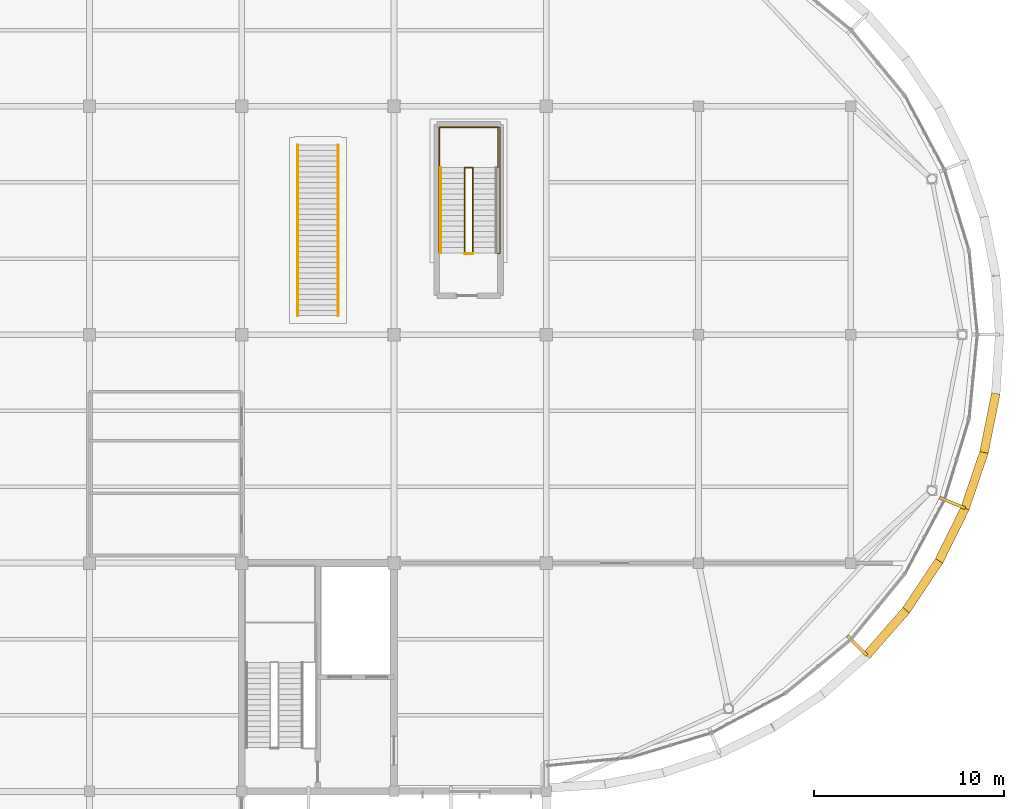
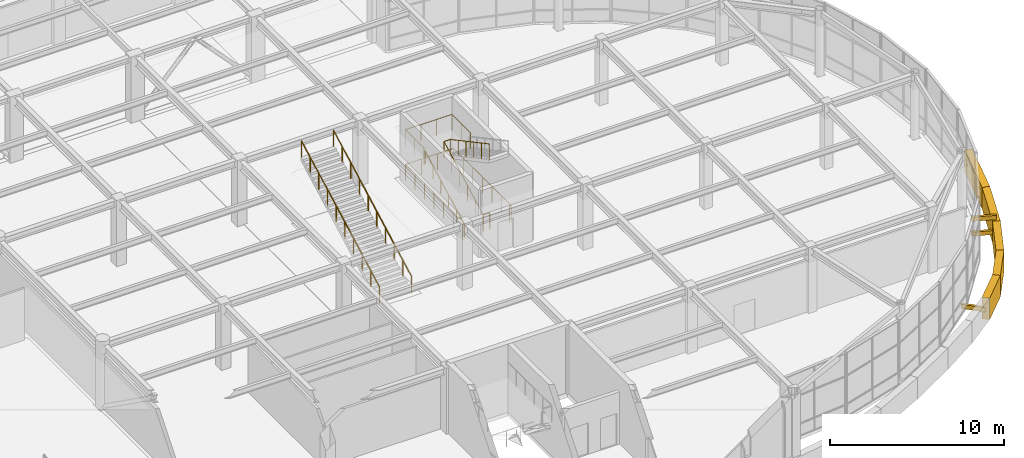
# One storey, part 68 of 72: 8 coverings, 7 railings.
"""IFC4 building model written with IfcOpenShell, lengths in metres."""

import ifcopenshell
import ifcopenshell.guid

model = None  # the IFC model being written
_history = None  # IfcOwnerHistory: only IFC2X3 demands one
_inside = {}  # id of a spatial element -> (the spatial element, [elements in it])
_under = {}  # id of a project, library or spatial element -> (it, [spatial elements below it])
_declared = {}  # id of a project -> (the project, [libraries it declares])
_typed = {}  # id of a type object -> (the type object, [elements of that type])
_made_of = {}  # id of a material, layer set ... -> (it, [elements and type objects made of it])


def new_model(schema):
    """Start an empty IFC model of exactly this schema.

    Asked for "IFC4X3", IfcOpenShell would pick the latest addendum, in which some entities
    have other attributes; the version numbers below select the first issue.
    IFC2X3 requires an IfcOwnerHistory on every rooted entity: one is made here for all.
    """
    global model, _history
    if schema == "IFC4X3":
        model = ifcopenshell.file(schema_version=(4, 3, 0, 0))
    else:
        model = ifcopenshell.file(schema=schema)
    _inside.clear()
    _under.clear()
    _declared.clear()
    _typed.clear()
    _made_of.clear()
    _history = None
    if model.schema == "IFC2X3":
        org = make("IfcOrganization", Name="unknown")
        user = make(
            "IfcPersonAndOrganization",
            ThePerson=make("IfcPerson", FamilyName="unknown"),
            TheOrganization=org,
        )
        app = make(
            "IfcApplication",
            ApplicationDeveloper=org,
            Version="unknown",
            ApplicationFullName="unknown",
            ApplicationIdentifier="unknown",
        )
        _history = make(
            "IfcOwnerHistory",
            OwningUser=user,
            OwningApplication=app,
            ChangeAction="ADDED",
            CreationDate=0,
        )
    return model


def make(cls, **values):
    """One entity of the class cls with the attributes given. An attribute that is None is left unset."""
    return model.create_entity(
        cls, **{name: value for name, value in values.items() if value is not None}
    )


def rooted(cls, **values):
    """An entity with a GlobalId (a new one), such as an element, a storey or a relation."""
    return make(cls, GlobalId=ifcopenshell.guid.new(), OwnerHistory=_history, **values)


def si_unit(unit_type, name, prefix=None):
    """IfcSIUnit, for example si_unit("LENGTHUNIT", "METRE", prefix="MILLI")."""
    return make("IfcSIUnit", UnitType=unit_type, Prefix=prefix, Name=name)


def assignment(units):
    """IfcUnitAssignment: the units of a project."""
    return None if units is None else make("IfcUnitAssignment", Units=units)


def point(xyz):
    """IfcCartesianPoint."""
    return None if xyz is None else make("IfcCartesianPoint", Coordinates=xyz)


def direction(xyz):
    """IfcDirection."""
    return None if xyz is None else make("IfcDirection", DirectionRatios=xyz)


def frame(location, z_axis=None, x_axis=None):
    """IfcAxis2Placement3D, a coordinate frame: its origin and axes. An axis left out is left unset."""
    return make(
        "IfcAxis2Placement3D",
        Location=point(location),
        Axis=direction(z_axis),
        RefDirection=direction(x_axis),
    )


def frame_2d(location, x_axis=None):
    """IfcAxis2Placement2D, a coordinate frame in the plane: its origin and x axis."""
    return make(
        "IfcAxis2Placement2D", Location=point(location), RefDirection=direction(x_axis)
    )


def origin():
    """The frame at (0, 0, 0) with its axes left unset."""
    return frame((0.0, 0.0, 0.0))


def origin_2d():
    """The frame at (0, 0) in the plane with its x axis left unset."""
    return frame_2d((0.0, 0.0))


def place(relative_to, where):
    """IfcLocalPlacement: puts the frame where relative to a parent placement (None: the world)."""
    return make(
        "IfcLocalPlacement", PlacementRelTo=relative_to, RelativePlacement=where
    )


def context(
    kind, dimensions, precision=None, world=None, true_north=None, identifier=None
):
    """IfcGeometricRepresentationContext, for example the 3D "Model" context."""
    return make(
        "IfcGeometricRepresentationContext",
        ContextIdentifier=identifier,
        ContextType=kind,
        CoordinateSpaceDimension=dimensions,
        Precision=precision,
        WorldCoordinateSystem=world,
        TrueNorth=true_north,
    )


def subcontext(parent, identifier, kind, view, scale=None):
    """IfcGeometricRepresentationSubContext, for example "Body" below "Model"."""
    return make(
        "IfcGeometricRepresentationSubContext",
        ContextIdentifier=identifier,
        ContextType=kind,
        ParentContext=parent,
        TargetScale=scale,
        TargetView=view,
    )


def project(units=None, contexts=None):
    """IfcProject with its units and contexts."""
    return rooted(
        "IfcProject",
        Name="project",
        RepresentationContexts=contexts,
        UnitsInContext=assignment(units),
    )


def spatial(cls, under=None, at=None, **own):
    """A site, building, storey or space (cls), placed at a placement, below another one or the project."""
    s = rooted(cls, ObjectPlacement=at, **own)
    if under is not None:
        _under.setdefault(under.id(), (under, []))[1].append(s)
    return s


def polyline(points):
    """IfcPolyline through the points."""
    return make("IfcPolyline", Points=[point(p) for p in points])


def profile(cls, at=None, kind="AREA", **sizes):
    """A parametric profile (cls). Its sizes go by their IFC names, for example OverallWidth=200.0."""
    return make(cls, ProfileType=kind, Position=at, **sizes)


def rectangle(**sizes):
    """IfcRectangleProfileDef."""
    return profile("IfcRectangleProfileDef", **sizes)


def circle(**sizes):
    """IfcCircleProfileDef."""
    return profile("IfcCircleProfileDef", **sizes)


def outline(outer, holes=None, kind="AREA"):
    """IfcArbitraryClosedProfileDef: a profile drawn as a closed curve; with holes, ...WithVoids."""
    if holes is None:
        return make("IfcArbitraryClosedProfileDef", ProfileType=kind, OuterCurve=outer)
    return make(
        "IfcArbitraryProfileDefWithVoids",
        ProfileType=kind,
        OuterCurve=outer,
        InnerCurves=holes,
    )


def extrude(swept, where, along, depth):
    """IfcExtrudedAreaSolid: the profile swept, set in the frame where, extruded along a direction by depth."""
    return make(
        "IfcExtrudedAreaSolid",
        SweptArea=swept,
        Position=where,
        ExtrudedDirection=direction(along),
        Depth=depth,
    )


def shape(context_of_items, identifier, shape_type, items):
    """IfcShapeRepresentation: the items that make up one representation, for example the "Body"."""
    return make(
        "IfcShapeRepresentation",
        ContextOfItems=context_of_items,
        RepresentationIdentifier=identifier,
        RepresentationType=shape_type,
        Items=items,
    )


def material(Name=None, Category=None):
    """IfcMaterial."""
    return make("IfcMaterial", Name=Name, Category=Category)


def layer(
    of_material, thickness, ventilated=None, Name=None, Category=None, Priority=None
):
    """IfcMaterialLayer: one layer of a wall or slab, of a material (None: an air gap)."""
    return make(
        "IfcMaterialLayer",
        Material=of_material,
        LayerThickness=thickness,
        IsVentilated=ventilated,
        Name=Name,
        Category=Category,
        Priority=Priority,
    )


def layer_set(layers, Name=None):
    """IfcMaterialLayerSet."""
    return make("IfcMaterialLayerSet", MaterialLayers=layers, LayerSetName=Name)


def made_of(thing, what):
    """Note that an element or type object is made of a material, layer set ...; save() writes the relation."""
    if what is not None:
        _made_of.setdefault(what.id(), (what, []))[1].append(thing)
    return thing


def type_object(cls, material=None, **own):
    """A type object (cls), such as IfcWallType, which elements share."""
    return made_of(rooted(cls, **own), material)


def element(
    cls,
    number,
    at=None,
    inside=None,
    cuts=None,
    type_object=None,
    material=None,
    context=None,
    identifier="Body",
    shape_type=None,
    held_by="IfcProductDefinitionShape",
    body=None,
    shapes=None,
    **own,
):
    """One element of the class cls, such as IfcWall. Its Tag is "e" and its number.

    at: its placement. inside: the storey or other place that contains it. cuts: it is an
    opening in that element (IfcRelVoidsElement). A single representation is given by context,
    identifier, shape_type and body (its items); several are given by shapes. held_by: the class
    of the entity that holds the representations. save() writes the other relations.
    """
    e = rooted(cls, Tag="e%d" % number, ObjectPlacement=at, **own)
    if body is not None:
        shapes = [shape(context, identifier, shape_type, body)]
    if shapes is not None:
        e.Representation = make(held_by, Representations=shapes)
    if inside is not None:
        _inside.setdefault(inside.id(), (inside, []))[1].append(e)
    if cuts is not None:
        rooted(
            "IfcRelVoidsElement", RelatingBuildingElement=cuts, RelatedOpeningElement=e
        )
    if type_object is not None:
        _typed.setdefault(type_object.id(), (type_object, []))[1].append(e)
    return made_of(e, material)


def aggregate(whole, parts):
    """IfcRelAggregates: a whole, such as a stair, and the parts it consists of."""
    return rooted("IfcRelAggregates", RelatingObject=whole, RelatedObjects=parts)


def save(model, path):
    """Write the relations noted so far, then the file.

    IfcRelAggregates (storeys below a building ...), IfcRelContainedInSpatialStructure (elements
    in a storey), IfcRelDefinesByType, IfcRelAssociatesMaterial and IfcRelDeclares: one each for
    every whole, place, type object, material and project.
    """
    for whole, parts in _under.values():
        aggregate(whole, parts)
    for where, things in _inside.values():
        rooted(
            "IfcRelContainedInSpatialStructure",
            RelatedElements=things,
            RelatingStructure=where,
        )
    for kind, things in _typed.values():
        rooted("IfcRelDefinesByType", RelatedObjects=things, RelatingType=kind)
    for what, things in _made_of.values():
        rooted("IfcRelAssociatesMaterial", RelatedObjects=things, RelatingMaterial=what)
    for by, libraries in _declared.values():
        rooted("IfcRelDeclares", RelatingContext=by, RelatedDefinitions=libraries)
    model.write(path)


model = new_model("IFC4")

# Units and contexts
model_context = context("Model", 3, precision=1e-05, world=origin(), true_north=direction((0.0, 1.0)))
body_context = subcontext(model_context, "Body", "Model", "MODEL_VIEW")
ifc_project = project(units=[si_unit("LENGTHUNIT", "METRE"), si_unit("AREAUNIT", "SQUARE_METRE"), si_unit("VOLUMEUNIT", "CUBIC_METRE"), si_unit("PLANEANGLEUNIT", "RADIAN"), si_unit("MASSUNIT", "GRAM", prefix="KILO")], contexts=[model_context])

# Site, building, storey
site_placement = place(None, origin())
site = spatial("IfcSite", under=ifc_project, at=site_placement, CompositionType="ELEMENT")
building_placement = place(site_placement, origin())
building = spatial("IfcBuilding", under=site, at=building_placement, Name="Keelwater Ferry Terminal", CompositionType="ELEMENT")
storey_placement = place(building_placement, frame((0.0, 0.0, 5.39990234375)))
storey = spatial("IfcBuildingStorey", under=building, at=storey_placement, Name="L01", CompositionType="ELEMENT", Elevation=5.39990234375)

# Railings
ifc_material_1 = material(Name="Painted Steel S355", Category="steel")
railing_type_1 = type_object("IfcRailingType", Name="GR-115 Stair Well Guardrail", PredefinedType="GUARDRAIL", material=ifc_material_1)
railing_1_placement = place(storey_placement, frame((159.7099609375, 70.260009765625, 0.0)))
element("IfcRailing", 1, at=railing_1_placement, inside=storey, type_object=railing_type_1, Name="Stair ST-E5-L00 Slot Threshold Guard 91", PredefinedType="GUARDRAIL", context=body_context, shape_type="SweptSolid", body=[
    extrude(circle(Radius=0.02392578125, at=origin_2d()), frame((0.0, 0.0, 1.1259765625), z_axis=(1.0, 0.0, 0.0), x_axis=(0.0, 1.0, 0.0)), (0.0, 0.0, 1.0), 0.419921875),
    extrude(circle(Radius=0.02099609375, at=origin_2d()), origin(), (0.0, 0.0, 1.0), 1.101806640625),
    extrude(circle(Radius=0.02099609375, at=origin_2d()), frame((0.419921875, 0.0, 0.0)), (0.0, 0.0, 1.0), 1.101806640625),
])
railing_2_placement = place(storey_placement, frame((158.360107421875, 70.300048828125, 0.0)))
element("IfcRailing", 2, at=railing_2_placement, inside=storey, type_object=railing_type_1, Name="Stair ST-E5-L00 Shaft Perimeter Guard 92", PredefinedType="GUARDRAIL", context=body_context, shape_type="SweptSolid", body=[
    extrude(circle(Radius=0.02392578125, at=origin_2d()), frame((0.0, 0.0, 1.1259765625), z_axis=(0.0, 1.0, 0.0), x_axis=(-1.0, 0.0, 0.0)), (0.0, 0.0, 1.0), 6.579833984375),
    extrude(circle(Radius=0.02392578125, at=origin_2d()), frame((0.0, 6.579833984375, 1.1259765625), z_axis=(1.0, 0.0, 0.0), x_axis=(0.0, 1.0, 0.0)), (0.0, 0.0, 1.0), 3.199951171875),
    extrude(circle(Radius=0.02392578125, at=origin_2d()), frame((3.199951171875, 6.579833984375, 1.1259765625), z_axis=(0.0, -1.0, 0.0), x_axis=(1.0, 0.0, 0.0)), (0.0, 0.0, 1.0), 6.619873046875),
    extrude(circle(Radius=0.02392578125, at=origin_2d()), frame((3.199951171875, -0.0400390625, 1.1259765625), z_axis=(-1.0, 0.0, 0.0), x_axis=(0.0, -1.0, 0.0)), (0.0, 0.0, 1.0), 0.1201171875),
    extrude(circle(Radius=0.02099609375, at=origin_2d()), origin(), (0.0, 0.0, 1.0), 1.101806640625),
    extrude(circle(Radius=0.02099609375, at=origin_2d()), frame((0.0, 1.0966796875, 0.0)), (0.0, 0.0, 1.0), 1.101806640625),
    extrude(circle(Radius=0.02099609375, at=origin_2d()), frame((0.0, 2.193359375, 0.0)), (0.0, 0.0, 1.0), 1.101806640625),
    extrude(circle(Radius=0.02099609375, at=origin_2d()), frame((0.0, 3.2900390625, 0.0)), (0.0, 0.0, 1.0), 1.101806640625),
    extrude(circle(Radius=0.02099609375, at=origin_2d()), frame((0.0, 4.386474609375, 0.0)), (0.0, 0.0, 1.0), 1.101806640625),
    extrude(circle(Radius=0.02099609375, at=origin_2d()), frame((0.0, 5.483154296875, 0.0)), (0.0, 0.0, 1.0), 1.101806640625),
    extrude(circle(Radius=0.02099609375, at=origin_2d()), frame((0.0, 6.579833984375, 0.0)), (0.0, 0.0, 1.0), 1.101806640625),
    extrude(circle(Radius=0.02099609375, at=origin_2d()), frame((1.066650390625, 6.579833984375, 0.0)), (0.0, 0.0, 1.0), 1.101806640625),
    extrude(circle(Radius=0.02099609375, at=origin_2d()), frame((2.13330078125, 6.579833984375, 0.0)), (0.0, 0.0, 1.0), 1.101806640625),
    extrude(circle(Radius=0.02099609375, at=origin_2d()), frame((3.199951171875, 6.579833984375, 0.0)), (0.0, 0.0, 1.0), 1.101806640625),
    extrude(circle(Radius=0.02099609375, at=origin_2d()), frame((3.199951171875, 5.4765625, 0.0)), (0.0, 0.0, 1.0), 1.101806640625),
    extrude(circle(Radius=0.02099609375, at=origin_2d()), frame((3.199951171875, 4.373291015625, 0.0)), (0.0, 0.0, 1.0), 1.101806640625),
    extrude(circle(Radius=0.02099609375, at=origin_2d()), frame((3.199951171875, 3.27001953125, 0.0)), (0.0, 0.0, 1.0), 1.101806640625),
    extrude(circle(Radius=0.02099609375, at=origin_2d()), frame((3.199951171875, 2.16650390625, 0.0)), (0.0, 0.0, 1.0), 1.101806640625),
    extrude(circle(Radius=0.02099609375, at=origin_2d()), frame((3.199951171875, 1.063232421875, 0.0)), (0.0, 0.0, 1.0), 1.101806640625),
    extrude(circle(Radius=0.02099609375, at=origin_2d()), frame((3.199951171875, -0.0400390625, 0.0)), (0.0, 0.0, 1.0), 1.101806640625),
    extrude(circle(Radius=0.02099609375, at=origin_2d()), frame((3.079833984375, -0.0400390625, 0.0)), (0.0, 0.0, 1.0), 1.101806640625),
])
railing_3_placement = place(storey_placement, frame((159.7099609375, 70.300048828125, 0.0)))
element("IfcRailing", 3, at=railing_3_placement, inside=storey, type_object=railing_type_1, Name="Stair ST-E5-L01 Inner Well Guard 93", PredefinedType="GUARDRAIL", context=body_context, shape_type="SweptSolid", body=[
    extrude(circle(Radius=0.02392578125, at=origin_2d()), frame((0.0, 0.0, 1.1259765625), z_axis=(0.0, 0.881467115574, 0.472245406714), x_axis=(-1.0, 0.0, 0.0)), (0.0, 0.0, 1.0), 5.08251953125),
    extrude(circle(Radius=0.02392578125, at=origin_2d()), frame((0.0, 4.47998046875, 3.52587890625), z_axis=(1.0, 0.0, 0.0), x_axis=(0.0, 1.0, 0.0)), (0.0, 0.0, 1.0), 0.419921875),
    extrude(circle(Radius=0.02392578125, at=origin_2d()), frame((0.419921875, 4.47998046875, 3.52587890625), z_axis=(0.0, -0.881487111273, 0.472208081951), x_axis=(1.0, 0.0, 0.0)), (0.0, 0.0, 1.0), 5.082275390625),
    extrude(circle(Radius=0.02099609375, at=origin_2d()), origin(), (0.0, 0.0, 1.0), 1.101806640625),
    extrude(circle(Radius=0.02099609375, at=origin_2d()), frame((0.0, 0.89599609375, 0.47998046875)), (0.0, 0.0, 1.0), 1.101806640625),
    extrude(circle(Radius=0.02099609375, at=origin_2d()), frame((0.0, 1.7919921875, 0.9599609375)), (0.0, 0.0, 1.0), 1.101806640625),
    extrude(circle(Radius=0.02099609375, at=origin_2d()), frame((0.0, 2.68798828125, 1.440185546875)), (0.0, 0.0, 1.0), 1.101806640625),
    extrude(circle(Radius=0.02099609375, at=origin_2d()), frame((0.0, 3.583984375, 1.920166015625)), (0.0, 0.0, 1.0), 1.101806640625),
    extrude(circle(Radius=0.02099609375, at=origin_2d()), frame((0.0, 4.47998046875, 2.400146484375)), (0.0, 0.0, 1.0), 1.101806640625),
    extrude(circle(Radius=0.02099609375, at=origin_2d()), frame((0.419921875, 4.47998046875, 2.400146484375)), (0.0, 0.0, 1.0), 1.101806640625),
    extrude(circle(Radius=0.02099609375, at=origin_2d()), frame((0.419921875, 3.583984375, 2.880126953125)), (0.0, 0.0, 1.0), 1.101806640625),
    extrude(circle(Radius=0.02099609375, at=origin_2d()), frame((0.419921875, 2.68798828125, 3.360107421875)), (0.0, 0.0, 1.0), 1.101806640625),
    extrude(circle(Radius=0.02099609375, at=origin_2d()), frame((0.419921875, 1.7919921875, 3.840087890625)), (0.0, 0.0, 1.0), 1.101806640625),
    extrude(circle(Radius=0.02099609375, at=origin_2d()), frame((0.419921875, 0.89599609375, 4.320068359375)), (0.0, 0.0, 1.0), 1.101806640625),
    extrude(circle(Radius=0.02099609375, at=origin_2d()), frame((0.419921875, 0.0, 4.800048828125)), (0.0, 0.0, 1.0), 1.101806640625),
])
railing_4_placement = place(storey_placement, frame((158.39990234375, 74.780029296875, 2.400146484375)))
element("IfcRailing", 4, at=railing_4_placement, inside=storey, type_object=railing_type_1, Name="Stair ST-E5-L01 Half-Landing Guard 94", PredefinedType="GUARDRAIL", context=body_context, shape_type="SweptSolid", body=[
    extrude(circle(Radius=0.02392578125, at=origin_2d()), frame((0.0, 0.0, 1.1259765625), z_axis=(-1.0, 0.0, 0.0), x_axis=(0.0, -1.0, 0.0)), (0.0, 0.0, 1.0), 0.02001953125),
    extrude(circle(Radius=0.02392578125, at=origin_2d()), frame((-0.02001953125, 0.0, 1.1259765625), z_axis=(0.0, 1.0, 0.0), x_axis=(-1.0, 0.0, 0.0)), (0.0, 0.0, 1.0), 2.139892578125),
    extrude(circle(Radius=0.02392578125, at=origin_2d()), frame((-0.02001953125, 2.139892578125, 1.1259765625), z_axis=(1.0, 0.0, 0.0), x_axis=(0.0, 1.0, 0.0)), (0.0, 0.0, 1.0), 3.090087890625),
    extrude(circle(Radius=0.02392578125, at=origin_2d()), frame((3.070068359375, 2.139892578125, 1.1259765625), z_axis=(0.0, -1.0, 0.0), x_axis=(1.0, 0.0, 0.0)), (0.0, 0.0, 1.0), 2.139892578125),
    extrude(circle(Radius=0.02392578125, at=origin_2d()), frame((3.070068359375, 0.0, 1.1259765625), z_axis=(-1.0, 0.0, 0.0), x_axis=(0.0, -1.0, 0.0)), (0.0, 0.0, 1.0), 0.030029296875),
    extrude(circle(Radius=0.02099609375, at=origin_2d()), origin(), (0.0, 0.0, 1.0), 1.101806640625),
    extrude(circle(Radius=0.02099609375, at=origin_2d()), frame((-0.02001953125, 0.0, 0.0)), (0.0, 0.0, 1.0), 1.101806640625),
    extrude(circle(Radius=0.02099609375, at=origin_2d()), frame((-0.02001953125, 1.06982421875, 0.0)), (0.0, 0.0, 1.0), 1.101806640625),
    extrude(circle(Radius=0.02099609375, at=origin_2d()), frame((-0.02001953125, 2.139892578125, 0.0)), (0.0, 0.0, 1.0), 1.101806640625),
    extrude(circle(Radius=0.02099609375, at=origin_2d()), frame((1.010009765625, 2.139892578125, 0.0)), (0.0, 0.0, 1.0), 1.101806640625),
    extrude(circle(Radius=0.02099609375, at=origin_2d()), frame((2.0400390625, 2.139892578125, 0.0)), (0.0, 0.0, 1.0), 1.101806640625),
    extrude(circle(Radius=0.02099609375, at=origin_2d()), frame((3.070068359375, 2.139892578125, 0.0)), (0.0, 0.0, 1.0), 1.101806640625),
    extrude(circle(Radius=0.02099609375, at=origin_2d()), frame((3.070068359375, 1.06982421875, 0.0)), (0.0, 0.0, 1.0), 1.101806640625),
    extrude(circle(Radius=0.02099609375, at=origin_2d()), frame((3.070068359375, 0.0, 0.0)), (0.0, 0.0, 1.0), 1.101806640625),
    extrude(circle(Radius=0.02099609375, at=origin_2d()), frame((3.0400390625, 0.0, 0.0)), (0.0, 0.0, 1.0), 1.101806640625),
])
for number, where, name in (
    (5, (153.06005859375, 67.0, 0.0), "Straight Stair AS-01 Flight Guard 127"),
    (6, (150.93994140625, 67.0, 0.0), "Straight Stair AS-01 Flight Guard 128"),
):
    element("IfcRailing", number, at=place(storey_placement, frame(where)), inside=storey, type_object=railing_type_1, Name=name, PredefinedType="GUARDRAIL", context=body_context, shape_type="SweptSolid", body=[
        extrude(circle(Radius=0.02392578125, at=origin_2d()), frame((0.0, 0.0, 1.1259765625), z_axis=(0.0, 0.881477113507, 0.47222674465), x_axis=(-1.0, 0.0, 0.0)), (0.0, 0.0, 1.0), 10.164794921875),
        extrude(circle(Radius=0.02099609375, at=origin_2d()), origin(), (0.0, 0.0, 1.0), 1.101806640625),
        extrude(circle(Radius=0.02099609375, at=origin_2d()), frame((0.0, 0.99560546875, 0.533447265625)), (0.0, 0.0, 1.0), 1.101806640625),
        extrude(circle(Radius=0.02099609375, at=origin_2d()), frame((0.0, 1.9912109375, 1.066650390625)), (0.0, 0.0, 1.0), 1.101806640625),
        extrude(circle(Radius=0.02099609375, at=origin_2d()), frame((0.0, 2.986572265625, 1.60009765625)), (0.0, 0.0, 1.0), 1.101806640625),
        extrude(circle(Radius=0.02099609375, at=origin_2d()), frame((0.0, 3.982177734375, 2.13330078125)), (0.0, 0.0, 1.0), 1.101806640625),
        extrude(circle(Radius=0.02099609375, at=origin_2d()), frame((0.0, 4.977783203125, 2.666748046875)), (0.0, 0.0, 1.0), 1.101806640625),
        extrude(circle(Radius=0.02099609375, at=origin_2d()), frame((0.0, 5.973388671875, 3.199951171875)), (0.0, 0.0, 1.0), 1.101806640625),
        extrude(circle(Radius=0.02099609375, at=origin_2d()), frame((0.0, 6.96875, 3.7333984375)), (0.0, 0.0, 1.0), 1.101806640625),
        extrude(circle(Radius=0.02099609375, at=origin_2d()), frame((0.0, 7.96435546875, 4.2666015625)), (0.0, 0.0, 1.0), 1.101806640625),
        extrude(circle(Radius=0.02099609375, at=origin_2d()), frame((0.0, 8.9599609375, 4.800048828125)), (0.0, 0.0, 1.0), 1.101806640625),
    ])
ifc_material_2 = material(Name="Brushed stainless steel handrail", Category="steel")
railing_type_2 = type_object("IfcRailingType", Name="HR-920 Stair Pitch Handrail", PredefinedType="HANDRAIL", material=ifc_material_2)
railing_5_placement = place(storey_placement, frame((158.4599609375, 70.300048828125, 0.0)))
element("IfcRailing", 7, at=railing_5_placement, inside=storey, type_object=railing_type_2, Name="Stair ST-E5-L01 Flight 1 Handrail 95", PredefinedType="HANDRAIL", context=body_context, shape_type="SweptSolid", body=[
    extrude(circle(Radius=0.02392578125, at=origin_2d()), frame((0.0, 0.0, 0.89599609375), z_axis=(0.0, 0.881467115574, 0.472245406714), x_axis=(-1.0, 0.0, 0.0)), (0.0, 0.0, 1.0), 5.08251953125),
    extrude(circle(Radius=0.02099609375, at=origin_2d()), origin(), (0.0, 0.0, 1.0), 0.871826171875),
    extrude(circle(Radius=0.02099609375, at=origin_2d()), frame((0.0, 0.89599609375, 0.47998046875)), (0.0, 0.0, 1.0), 0.871826171875),
    extrude(circle(Radius=0.02099609375, at=origin_2d()), frame((0.0, 1.7919921875, 0.9599609375)), (0.0, 0.0, 1.0), 0.871826171875),
    extrude(circle(Radius=0.02099609375, at=origin_2d()), frame((0.0, 2.68798828125, 1.440185546875)), (0.0, 0.0, 1.0), 0.871826171875),
    extrude(circle(Radius=0.02099609375, at=origin_2d()), frame((0.0, 3.583984375, 1.920166015625)), (0.0, 0.0, 1.0), 0.871826171875),
    extrude(circle(Radius=0.02099609375, at=origin_2d()), frame((0.0, 4.47998046875, 2.400146484375)), (0.0, 0.0, 1.0), 0.871826171875),
])

# Coverings
ifc_material_3 = material(Name="Matte white architectural aluminium fascia ribbon", Category="aluminium")
ifc_layer = layer(ifc_material_3, 0.1201171875)
ifc_layer_set = layer_set([ifc_layer], Name="Matte white architectural aluminium fascia ribbon")
covering_type = type_object("IfcCoveringType", Name="RB-WHT Matte White Fascia Ribbon", PredefinedType="CLADDING", material=ifc_layer_set)
covering_1_placement = place(storey_placement, frame((180.826904296875, 49.137939453125, -1.345947265625), z_axis=(0.0, 0.0, 1.0), x_axis=(0.65931776004, 0.75186441018, 0.0)))
element("IfcCovering", 8, at=covering_1_placement, inside=storey, type_object=covering_type, Name="Concourse Lower Wave Fascia Ribbon 658", PredefinedType="CLADDING", context=body_context, shape_type="SweptSolid", body=[
    extrude(outline(polyline([(0.0, 0.566162109375), (3.16552734375, 0.0), (3.16552734375, 1.5), (0.0, 2.066162109375), (0.0, 0.566162109375)])), frame((0.0, 0.22998046875, 0.0), z_axis=(0.0, -1.0, 0.0), x_axis=(1.0, 0.0, 0.0)), (0.0, 0.0, 1.0), 0.4599609375),
])
covering_2_placement = place(storey_placement, frame((180.843017578125, 49.156982421875, -0.25), z_axis=(0.0, 0.0, 1.0), x_axis=(-0.707106781187, 0.707106781187, 0.0)))
element("IfcCovering", 9, at=covering_2_placement, inside=storey, type_object=covering_type, Name="Ribbon Slab Tie Bracket 664", PredefinedType="CLADDING", context=body_context, shape_type="SweptSolid", body=[
    extrude(rectangle(XDim=1.449462890625, YDim=0.159912109375, at=frame_2d((0.724609375, 0.0))), origin(), (0.0, 0.0, 1.0), 0.300048828125),
])
covering_3_placement = place(storey_placement, frame((182.884033203125, 51.47802734375, -1.781005859375), z_axis=(0.0, 0.0, 1.0), x_axis=(0.55550058618, 0.831516144614, 0.0)))
element("IfcCovering", 10, at=covering_3_placement, inside=storey, type_object=covering_type, Name="Concourse Lower Wave Fascia Ribbon 669", PredefinedType="CLADDING", context=body_context, shape_type="SweptSolid", body=[
    extrude(outline(polyline([(0.0, 0.43505859375), (3.16650390625, 0.0), (3.16650390625, 1.5), (0.0, 1.93505859375), (0.0, 0.43505859375)])), frame((0.0, 0.22998046875, 0.0), z_axis=(0.0, -1.0, 0.0), x_axis=(1.0, 0.0, 0.0)), (0.0, 0.0, 1.0), 0.4599609375),
])
covering_4_placement = place(storey_placement, frame((184.617919921875, 54.068115234375, -1.890869140625), z_axis=(0.0, 0.0, 1.0), x_axis=(0.442454846905, 0.896790782987, 0.0)))
element("IfcCovering", 11, at=covering_4_placement, inside=storey, type_object=covering_type, Name="Concourse Lower Wave Fascia Ribbon 673", PredefinedType="CLADDING", context=body_context, shape_type="SweptSolid", body=[
    extrude(outline(polyline([(0.0, 0.10986328125), (3.16455078125, 0.0), (3.16455078125, 1.5), (0.0, 1.60986328125), (0.0, 0.10986328125)])), frame((0.0, 0.22998046875, 0.0), z_axis=(0.0, -1.0, 0.0), x_axis=(1.0, 0.0, 0.0)), (0.0, 0.0, 1.0), 0.4599609375),
])
covering_5_placement = place(storey_placement, frame((185.9990234375, 56.860107421875, -1.890869140625), z_axis=(0.0, 0.0, 1.0), x_axis=(0.321196336342, 0.94701262585, 0.0)))
element("IfcCovering", 12, at=covering_5_placement, inside=storey, type_object=covering_type, Name="Concourse Lower Wave Fascia Ribbon 677", PredefinedType="CLADDING", context=body_context, shape_type="SweptSolid", body=[
    extrude(outline(polyline([(0.0, 0.0), (3.16650390625, 0.263916015625), (3.16650390625, 1.763916015625), (0.0, 1.5), (0.0, 0.0)])), frame((0.0, 0.22998046875, 0.0), z_axis=(0.0, -1.0, 0.0), x_axis=(1.0, 0.0, 0.0)), (0.0, 0.0, 1.0), 0.4599609375),
])
covering_6_placement = place(storey_placement, frame((186.007080078125, 56.884033203125, -1.281005859375), z_axis=(0.0, 0.0, 1.0), x_axis=(-0.923916320312, 0.382594606681, 0.0)))
element("IfcCovering", 13, at=covering_6_placement, inside=storey, type_object=covering_type, Name="Ribbon Horizontal Tie Bracket 681", PredefinedType="CLADDING", context=body_context, shape_type="SweptSolid", body=[
    extrude(rectangle(XDim=1.450439453125, YDim=0.159912109375, at=frame_2d((0.72509765625, 0.0))), origin(), (0.0, 0.0, 1.0), 0.280029296875),
])
covering_7_placement = place(storey_placement, frame((186.007080078125, 56.884033203125, -0.25), z_axis=(0.0, 0.0, 1.0), x_axis=(-0.923916320312, 0.382594606681, 0.0)))
element("IfcCovering", 14, at=covering_7_placement, inside=storey, type_object=covering_type, Name="Ribbon Slab Tie Bracket 684", PredefinedType="CLADDING", context=body_context, shape_type="SweptSolid", body=[
    extrude(rectangle(XDim=1.450439453125, YDim=0.159912109375, at=frame_2d((0.72509765625, 0.0))), origin(), (0.0, 0.0, 1.0), 0.300048828125),
])
covering_8_placement = place(storey_placement, frame((187.0029296875, 59.81005859375, -1.626953125), z_axis=(0.0, 0.0, 1.0), x_axis=(0.195196875454, 0.98076407959, 0.0)))
element("IfcCovering", 15, at=covering_8_placement, inside=storey, type_object=covering_type, Name="Concourse Lower Wave Fascia Ribbon 689", PredefinedType="CLADDING", context=body_context, shape_type="SweptSolid", body=[
    extrude(outline(polyline([(0.0, 0.0), (3.1669921875, 0.52099609375), (3.1669921875, 2.02099609375), (0.0, 1.5), (0.0, 0.0)])), frame((0.0, 0.22998046875, 0.0), z_axis=(0.0, -1.0, 0.0), x_axis=(1.0, 0.0, 0.0)), (0.0, 0.0, 1.0), 0.4599609375),
])

save(model, "model.ifc")
